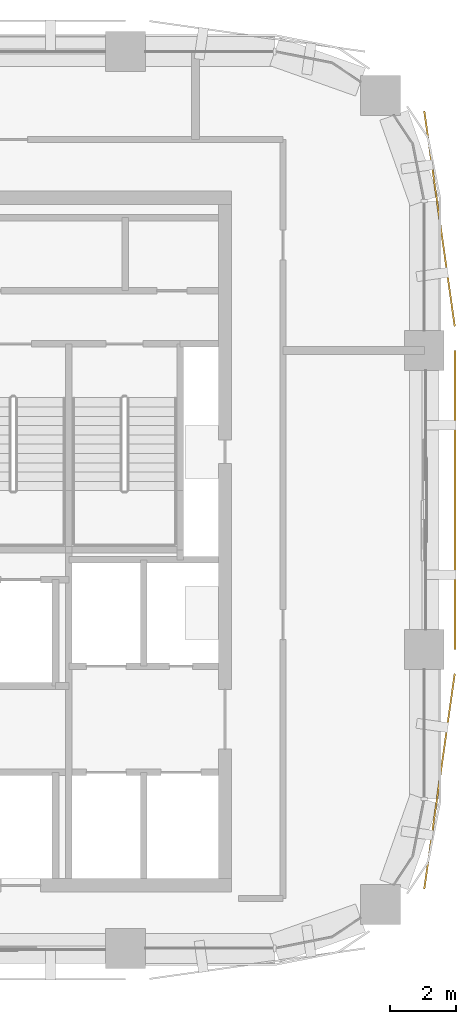
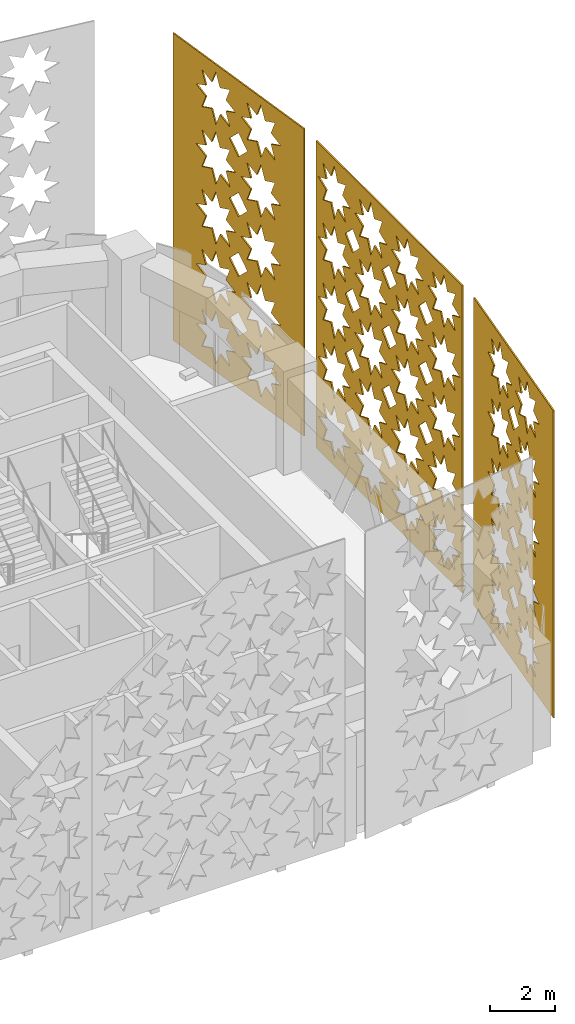
# One storey, part 14 of 14: 3 coverings.
"""IFC4 building model written with IfcOpenShell, lengths in metres."""

from ifc_helpers import new_model, si_unit, direction, frame, origin, place, context, subcontext, project, spatial, polyline, outline, extrude, material, layer, layer_set, type_object, element, save


model = new_model("IFC4")

# Units and contexts
model_context = context("Model", 3, precision=1e-05, world=origin(), true_north=direction((0.0, 1.0)))
body_context = subcontext(model_context, "Body", "Model", "MODEL_VIEW")
ifc_project = project(units=[si_unit("LENGTHUNIT", "METRE"), si_unit("AREAUNIT", "SQUARE_METRE"), si_unit("VOLUMEUNIT", "CUBIC_METRE"), si_unit("PLANEANGLEUNIT", "RADIAN"), si_unit("MASSUNIT", "GRAM", prefix="KILO")], contexts=[model_context])

# Site, building, storey
site_placement = place(None, origin())
site = spatial("IfcSite", under=ifc_project, at=site_placement, CompositionType="ELEMENT")
building_placement = place(site_placement, origin())
building = spatial("IfcBuilding", under=site, at=building_placement, Name="Tessera Arch", CompositionType="ELEMENT")
storey_placement = place(building_placement, frame((0.0, 0.0, 269.60009765625)))
storey = spatial("IfcBuildingStorey", under=building, at=storey_placement, Name="L65", CompositionType="ELEMENT", Elevation=269.60009765625)

# Coverings
ifc_material_1 = material(Name="Anodised aluminium pale metal", Category="aluminium")
ifc_layer_1 = layer(ifc_material_1, 0.050048828125)
ifc_layer_set_1 = layer_set([ifc_layer_1], Name="Pierced screen panel corner bay")
covering_type_1 = type_object("IfcCoveringType", Name="Pierced screen panel corner bay", PredefinedType="CLADDING", material=ifc_layer_set_1)
covering_1_placement = place(storey_placement, frame((54.89111328125, 45.72607421875, 11.699951171875), z_axis=(-0.990141011378, -0.140074186016, 0.0), x_axis=(-0.140074186016, 0.990141011378, 0.0)))
element("IfcCovering", 1, at=covering_1_placement, inside=storey, type_object=covering_type_1, Name="SCREEN pierced panel E54.27/1 L65-L67", PredefinedType="CLADDING", context=body_context, shape_type="SweptSolid", body=[
    extrude(outline(polyline([(0.0, 0.0), (6.546475218445481, 0.0), (6.546475218445481, 11.5400390625), (0.0, 11.5400390625), (0.0, 0.0)]), holes=[polyline([(3.1378926073747033, 10.27001953125), (2.646957140062835, 10.06298828125), (2.8479028079497066, 9.570068359375), (2.354999273675671, 9.77099609375), (2.147907671256942, 9.280029296875), (1.941990539265672, 9.77099609375), (1.4481200704102128, 9.570068359375), (1.6490657382970841, 10.06298828125), (1.158130270985216, 10.27001953125), (1.6490657382970841, 10.47705078125), (1.4481200704102128, 10.969970703125), (1.941990539265672, 10.76904296875), (2.147907671256942, 11.260009765625), (2.354999273675671, 10.76904296875), (2.8479028079497066, 10.969970703125), (2.646957140062835, 10.47705078125), (3.1378926073747033, 10.27001953125)]), polyline([(3.1378926073747033, 8.02001953125), (2.646957140062835, 7.81298828125), (2.8479028079497066, 7.320068359375), (2.354999273675671, 7.52099609375), (2.147907671256942, 7.030029296875), (1.941990539265672, 7.52099609375), (1.4481200704102128, 7.320068359375), (1.6490657382970841, 7.81298828125), (1.158130270985216, 8.02001953125), (1.6490657382970841, 8.22705078125), (1.4481200704102128, 8.719970703125), (1.941990539265672, 8.51904296875), (2.147907671256942, 9.010009765625), (2.354999273675671, 8.51904296875), (2.8479028079497066, 8.719970703125), (2.646957140062835, 8.22705078125), (3.1378926073747033, 8.02001953125)]), polyline([(3.1378926073747033, 5.77001953125), (2.646957140062835, 5.56298828125), (2.8479028079497066, 5.070068359375), (2.354999273675671, 5.27099609375), (2.147907671256942, 4.780029296875), (1.941990539265672, 5.27099609375), (1.4481200704102128, 5.070068359375), (1.6490657382970841, 5.56298828125), (1.158130270985216, 5.77001953125), (1.6490657382970841, 5.97705078125), (1.4481200704102128, 6.469970703125), (1.941990539265672, 6.26904296875), (2.147907671256942, 6.760009765625), (2.354999273675671, 6.26904296875), (2.8479028079497066, 6.469970703125), (2.646957140062835, 5.97705078125), (3.1378926073747033, 5.77001953125)]), polyline([(3.1378926073747033, 3.52001953125), (2.646957140062835, 3.31298828125), (2.8479028079497066, 2.820068359375), (2.354999273675671, 3.02099609375), (2.147907671256942, 2.530029296875), (1.941990539265672, 3.02099609375), (1.4481200704102128, 2.820068359375), (1.6490657382970841, 3.31298828125), (1.158130270985216, 3.52001953125), (1.6490657382970841, 3.72705078125), (1.4481200704102128, 4.219970703125), (1.941990539265672, 4.01904296875), (2.147907671256942, 4.510009765625), (2.354999273675671, 4.01904296875), (2.8479028079497066, 4.219970703125), (2.646957140062835, 3.72705078125), (3.1378926073747033, 3.52001953125)]), polyline([(3.1378926073747033, 1.27001953125), (2.646957140062835, 1.06298828125), (2.8479028079497066, 0.570068359375), (2.354999273675671, 0.77099609375), (2.147907671256942, 0.280029296875), (1.941990539265672, 0.77099609375), (1.4481200704102128, 0.570068359375), (1.6490657382970841, 1.06298828125), (1.158130270985216, 1.27001953125), (1.6490657382970841, 1.47705078125), (1.4481200704102128, 1.969970703125), (1.941990539265672, 1.76904296875), (2.147907671256942, 2.260009765625), (2.354999273675671, 1.76904296875), (2.8479028079497066, 1.969970703125), (2.646957140062835, 1.47705078125), (3.1378926073747033, 1.27001953125)]), polyline([(5.387861480169554, 10.27001953125), (4.896926012857686, 10.06298828125), (5.097871680744557, 9.570068359375), (4.604968146470521, 9.77099609375), (4.398118277697149, 9.280029296875), (4.191959412060523, 9.77099609375), (3.698088943205064, 9.570068359375), (3.899034611091935, 10.06298828125), (3.408099143780067, 10.27001953125), (3.899034611091935, 10.47705078125), (3.698088943205064, 10.969970703125), (4.191959412060523, 10.76904296875), (4.398118277697149, 11.260009765625), (4.604968146470521, 10.76904296875), (5.097871680744557, 10.969970703125), (4.896926012857686, 10.47705078125), (5.387861480169554, 10.27001953125)]), polyline([(5.387861480169554, 8.02001953125), (4.896926012857686, 7.81298828125), (5.097871680744557, 7.320068359375), (4.604968146470521, 7.52099609375), (4.398118277697149, 7.030029296875), (4.191959412060523, 7.52099609375), (3.698088943205064, 7.320068359375), (3.899034611091935, 7.81298828125), (3.408099143780067, 8.02001953125), (3.899034611091935, 8.22705078125), (3.698088943205064, 8.719970703125), (4.191959412060523, 8.51904296875), (4.398118277697149, 9.010009765625), (4.604968146470521, 8.51904296875), (5.097871680744557, 8.719970703125), (4.896926012857686, 8.22705078125), (5.387861480169554, 8.02001953125)]), polyline([(5.387861480169554, 5.77001953125), (4.896926012857686, 5.56298828125), (5.097871680744557, 5.070068359375), (4.604968146470521, 5.27099609375), (4.398118277697149, 4.780029296875), (4.191959412060523, 5.27099609375), (3.698088943205064, 5.070068359375), (3.899034611091935, 5.56298828125), (3.408099143780067, 5.77001953125), (3.899034611091935, 5.97705078125), (3.698088943205064, 6.469970703125), (4.191959412060523, 6.26904296875), (4.398118277697149, 6.760009765625), (4.604968146470521, 6.26904296875), (5.097871680744557, 6.469970703125), (4.896926012857686, 5.97705078125), (5.387861480169554, 5.77001953125)]), polyline([(5.387861480169554, 3.52001953125), (4.896926012857686, 3.31298828125), (5.097871680744557, 2.820068359375), (4.604968146470521, 3.02099609375), (4.398118277697149, 2.530029296875), (4.191959412060523, 3.02099609375), (3.698088943205064, 2.820068359375), (3.899034611091935, 3.31298828125), (3.408099143780067, 3.52001953125), (3.899034611091935, 3.72705078125), (3.698088943205064, 4.219970703125), (4.191959412060523, 4.01904296875), (4.398118277697149, 4.510009765625), (4.604968146470521, 4.01904296875), (5.097871680744557, 4.219970703125), (4.896926012857686, 3.72705078125), (5.387861480169554, 3.52001953125)]), polyline([(5.387861480169554, 1.27001953125), (4.896926012857686, 1.06298828125), (5.097871680744557, 0.570068359375), (4.604968146470521, 0.77099609375), (4.398118277697149, 0.280029296875), (4.191959412060523, 0.77099609375), (3.698088943205064, 0.570068359375), (3.899034611091935, 1.06298828125), (3.408099143780067, 1.27001953125), (3.899034611091935, 1.47705078125), (3.698088943205064, 1.969970703125), (4.191959412060523, 1.76904296875), (4.398118277697149, 2.260009765625), (4.604968146470521, 1.76904296875), (5.097871680744557, 1.969970703125), (4.896926012857686, 1.47705078125), (5.387861480169554, 1.27001953125)]), polyline([(3.7229828105764913, 9.14501953125), (3.2729958755773856, 8.695068359375), (2.823008940578279, 9.14501953125), (3.2729958755773856, 9.594970703125), (3.7229828105764913, 9.14501953125)]), polyline([(3.7229828105764913, 6.89501953125), (3.2729958755773856, 6.445068359375), (2.823008940578279, 6.89501953125), (3.2729958755773856, 7.344970703125), (3.7229828105764913, 6.89501953125)]), polyline([(3.7229828105764913, 4.64501953125), (3.2729958755773856, 4.195068359375), (2.823008940578279, 4.64501953125), (3.2729958755773856, 5.094970703125), (3.7229828105764913, 4.64501953125)]), polyline([(3.7229828105764913, 2.39501953125), (3.2729958755773856, 1.945068359375), (2.823008940578279, 2.39501953125), (3.2729958755773856, 2.844970703125), (3.7229828105764913, 2.39501953125)])]), origin(), (0.0, 0.0, -1.0), 0.050048828125),
])
covering_2_placement = place(storey_placement, frame((53.97412109375, 28.7919921875, 11.699951171875), z_axis=(-0.990141011378, 0.140074186016, 0.0), x_axis=(0.140074186016, 0.990141011378, 0.0)))
element("IfcCovering", 2, at=covering_2_placement, inside=storey, type_object=covering_type_1, Name="SCREEN pierced panel E54.27/2 L65-L67", PredefinedType="CLADDING", context=body_context, shape_type="SweptSolid", body=[
    extrude(outline(polyline([(0.0, 0.0), (6.546475218445481, 0.0), (6.546475218445481, 11.5400390625), (0.0, 11.5400390625), (0.0, 0.0)]), holes=[polyline([(3.137858409575383, 10.27001953125), (2.6469229422635148, 10.06298828125), (2.8479028079497066, 9.570068359375), (2.354999273675671, 9.77099609375), (2.1478734734576217, 9.280029296875), (1.941990539265672, 9.77099609375), (1.447878336764857, 9.570068359375), (1.6490657382970841, 10.06298828125), (1.15788853733986, 10.27001953125), (1.6490657382970841, 10.47705078125), (1.447878336764857, 10.969970703125), (1.941990539265672, 10.76904296875), (2.1478734734576217, 11.260009765625), (2.354999273675671, 10.76904296875), (2.8479028079497066, 10.969970703125), (2.6469229422635148, 10.47705078125), (3.137858409575383, 10.27001953125)]), polyline([(3.137858409575383, 8.02001953125), (2.6469229422635148, 7.81298828125), (2.8479028079497066, 7.320068359375), (2.354999273675671, 7.52099609375), (2.1478734734576217, 7.030029296875), (1.941990539265672, 7.52099609375), (1.447878336764857, 7.320068359375), (1.6490657382970841, 7.81298828125), (1.15788853733986, 8.02001953125), (1.6490657382970841, 8.22705078125), (1.447878336764857, 8.719970703125), (1.941990539265672, 8.51904296875), (2.1478734734576217, 9.010009765625), (2.354999273675671, 8.51904296875), (2.8479028079497066, 8.719970703125), (2.6469229422635148, 8.22705078125), (3.137858409575383, 8.02001953125)]), polyline([(3.137858409575383, 5.77001953125), (2.6469229422635148, 5.56298828125), (2.8479028079497066, 5.070068359375), (2.354999273675671, 5.27099609375), (2.1478734734576217, 4.780029296875), (1.941990539265672, 5.27099609375), (1.447878336764857, 5.070068359375), (1.6490657382970841, 5.56298828125), (1.15788853733986, 5.77001953125), (1.6490657382970841, 5.97705078125), (1.447878336764857, 6.469970703125), (1.941990539265672, 6.26904296875), (2.1478734734576217, 6.760009765625), (2.354999273675671, 6.26904296875), (2.8479028079497066, 6.469970703125), (2.6469229422635148, 5.97705078125), (3.137858409575383, 5.77001953125)]), polyline([(3.137858409575383, 3.52001953125), (2.6469229422635148, 3.31298828125), (2.8479028079497066, 2.820068359375), (2.354999273675671, 3.02099609375), (2.1478734734576217, 2.530029296875), (1.941990539265672, 3.02099609375), (1.447878336764857, 2.820068359375), (1.6490657382970841, 3.31298828125), (1.15788853733986, 3.52001953125), (1.6490657382970841, 3.72705078125), (1.447878336764857, 4.219970703125), (1.941990539265672, 4.01904296875), (2.1478734734576217, 4.510009765625), (2.354999273675671, 4.01904296875), (2.8479028079497066, 4.219970703125), (2.6469229422635148, 3.72705078125), (3.137858409575383, 3.52001953125)]), polyline([(3.137858409575383, 1.27001953125), (2.6469229422635148, 1.06298828125), (2.8479028079497066, 0.570068359375), (2.354999273675671, 0.77099609375), (2.1478734734576217, 0.280029296875), (1.941990539265672, 0.77099609375), (1.447878336764857, 0.570068359375), (1.6490657382970841, 1.06298828125), (1.15788853733986, 1.27001953125), (1.6490657382970841, 1.47705078125), (1.447878336764857, 1.969970703125), (1.941990539265672, 1.76904296875), (2.1478734734576217, 2.260009765625), (2.354999273675671, 1.76904296875), (2.8479028079497066, 1.969970703125), (2.6469229422635148, 1.47705078125), (3.137858409575383, 1.27001953125)]), polyline([(5.387827282370234, 10.27001953125), (4.896891815058366, 10.06298828125), (5.097871680744557, 9.570068359375), (4.604968146470521, 9.77099609375), (4.397842346252473, 9.280029296875), (4.191959412060523, 9.77099609375), (3.698088943205064, 9.570068359375), (3.899034611091935, 10.06298828125), (3.407857410134711, 10.27001953125), (3.899034611091935, 10.47705078125), (3.698088943205064, 10.969970703125), (4.191959412060523, 10.76904296875), (4.397842346252473, 11.260009765625), (4.604968146470521, 10.76904296875), (5.097871680744557, 10.969970703125), (4.896891815058366, 10.47705078125), (5.387827282370234, 10.27001953125)]), polyline([(5.387827282370234, 8.02001953125), (4.896891815058366, 7.81298828125), (5.097871680744557, 7.320068359375), (4.604968146470521, 7.52099609375), (4.397842346252473, 7.030029296875), (4.191959412060523, 7.52099609375), (3.698088943205064, 7.320068359375), (3.899034611091935, 7.81298828125), (3.407857410134711, 8.02001953125), (3.899034611091935, 8.22705078125), (3.698088943205064, 8.719970703125), (4.191959412060523, 8.51904296875), (4.397842346252473, 9.010009765625), (4.604968146470521, 8.51904296875), (5.097871680744557, 8.719970703125), (4.896891815058366, 8.22705078125), (5.387827282370234, 8.02001953125)]), polyline([(5.387827282370234, 5.77001953125), (4.896891815058366, 5.56298828125), (5.097871680744557, 5.070068359375), (4.604968146470521, 5.27099609375), (4.397842346252473, 4.780029296875), (4.191959412060523, 5.27099609375), (3.698088943205064, 5.070068359375), (3.899034611091935, 5.56298828125), (3.407857410134711, 5.77001953125), (3.899034611091935, 5.97705078125), (3.698088943205064, 6.469970703125), (4.191959412060523, 6.26904296875), (4.397842346252473, 6.760009765625), (4.604968146470521, 6.26904296875), (5.097871680744557, 6.469970703125), (4.896891815058366, 5.97705078125), (5.387827282370234, 5.77001953125)]), polyline([(5.387827282370234, 3.52001953125), (4.896891815058366, 3.31298828125), (5.097871680744557, 2.820068359375), (4.604968146470521, 3.02099609375), (4.397842346252473, 2.530029296875), (4.191959412060523, 3.02099609375), (3.698088943205064, 2.820068359375), (3.899034611091935, 3.31298828125), (3.407857410134711, 3.52001953125), (3.899034611091935, 3.72705078125), (3.698088943205064, 4.219970703125), (4.191959412060523, 4.01904296875), (4.397842346252473, 4.510009765625), (4.604968146470521, 4.01904296875), (5.097871680744557, 4.219970703125), (4.896891815058366, 3.72705078125), (5.387827282370234, 3.52001953125)]), polyline([(5.387827282370234, 1.27001953125), (4.896891815058366, 1.06298828125), (5.097871680744557, 0.570068359375), (4.604968146470521, 0.77099609375), (4.397842346252473, 0.280029296875), (4.191959412060523, 0.77099609375), (3.698088943205064, 0.570068359375), (3.899034611091935, 1.06298828125), (3.407857410134711, 1.27001953125), (3.899034611091935, 1.47705078125), (3.698088943205064, 1.969970703125), (4.191959412060523, 1.76904296875), (4.397842346252473, 2.260009765625), (4.604968146470521, 1.76904296875), (5.097871680744557, 1.969970703125), (4.896891815058366, 1.47705078125), (5.387827282370234, 1.27001953125)]), polyline([(3.7229828105764913, 9.14501953125), (3.2729958755773856, 8.695068359375), (2.8229747427789587, 9.14501953125), (3.2729958755773856, 9.594970703125), (3.7229828105764913, 9.14501953125)]), polyline([(3.7229828105764913, 6.89501953125), (3.2729958755773856, 6.445068359375), (2.8229747427789587, 6.89501953125), (3.2729958755773856, 7.344970703125), (3.7229828105764913, 6.89501953125)]), polyline([(3.7229828105764913, 4.64501953125), (3.2729958755773856, 4.195068359375), (2.8229747427789587, 4.64501953125), (3.2729958755773856, 5.094970703125), (3.7229828105764913, 4.64501953125)]), polyline([(3.7229828105764913, 2.39501953125), (3.2729958755773856, 1.945068359375), (2.8229747427789587, 2.39501953125), (3.2729958755773856, 2.844970703125), (3.7229828105764913, 2.39501953125)])]), origin(), (0.0, 0.0, -1.0), 0.050048828125),
])
ifc_material_2 = material(Name="Anodised aluminium pale metal", Category="aluminium")
ifc_layer_2 = layer(ifc_material_2, 0.050048828125)
ifc_layer_set_2 = layer_set([ifc_layer_2], Name="Pierced screen panel straight bay")
covering_type_2 = type_object("IfcCoveringType", Name="Pierced screen panel straight bay", PredefinedType="CLADDING", material=ifc_layer_set_2)
covering_3_placement = place(storey_placement, frame((54.89990234375, 36.0, 11.699951171875), z_axis=(-1.0, 0.0, 0.0), x_axis=(0.0, 1.0, 0.0)))
element("IfcCovering", 3, at=covering_3_placement, inside=storey, type_object=covering_type_2, Name="SCREEN pierced panel E54.27/0 L65-L67", PredefinedType="CLADDING", context=body_context, shape_type="SweptSolid", body=[
    extrude(outline(polyline([(0.0, 0.0), (9.0, 0.0), (9.0, 11.5400390625), (0.0, 11.5400390625), (0.0, 0.0)]), holes=[polyline([(2.114990234375, 10.27001953125), (1.6240234375, 10.06298828125), (1.824951171875, 9.570068359375), (1.33203125, 9.77099609375), (1.125, 9.280029296875), (0.91796875, 9.77099609375), (0.425048828125, 9.570068359375), (0.6259765625, 10.06298828125), (0.135009765625, 10.27001953125), (0.6259765625, 10.47705078125), (0.425048828125, 10.969970703125), (0.91796875, 10.76904296875), (1.125, 11.260009765625), (1.33203125, 10.76904296875), (1.824951171875, 10.969970703125), (1.6240234375, 10.47705078125), (2.114990234375, 10.27001953125)]), polyline([(2.114990234375, 8.02001953125), (1.6240234375, 7.81298828125), (1.824951171875, 7.320068359375), (1.33203125, 7.52099609375), (1.125, 7.030029296875), (0.91796875, 7.52099609375), (0.425048828125, 7.320068359375), (0.6259765625, 7.81298828125), (0.135009765625, 8.02001953125), (0.6259765625, 8.22705078125), (0.425048828125, 8.719970703125), (0.91796875, 8.51904296875), (1.125, 9.010009765625), (1.33203125, 8.51904296875), (1.824951171875, 8.719970703125), (1.6240234375, 8.22705078125), (2.114990234375, 8.02001953125)]), polyline([(2.114990234375, 5.77001953125), (1.6240234375, 5.56298828125), (1.824951171875, 5.070068359375), (1.33203125, 5.27099609375), (1.125, 4.780029296875), (0.91796875, 5.27099609375), (0.425048828125, 5.070068359375), (0.6259765625, 5.56298828125), (0.135009765625, 5.77001953125), (0.6259765625, 5.97705078125), (0.425048828125, 6.469970703125), (0.91796875, 6.26904296875), (1.125, 6.760009765625), (1.33203125, 6.26904296875), (1.824951171875, 6.469970703125), (1.6240234375, 5.97705078125), (2.114990234375, 5.77001953125)]), polyline([(2.114990234375, 3.52001953125), (1.6240234375, 3.31298828125), (1.824951171875, 2.820068359375), (1.33203125, 3.02099609375), (1.125, 2.530029296875), (0.91796875, 3.02099609375), (0.425048828125, 2.820068359375), (0.6259765625, 3.31298828125), (0.135009765625, 3.52001953125), (0.6259765625, 3.72705078125), (0.425048828125, 4.219970703125), (0.91796875, 4.01904296875), (1.125, 4.510009765625), (1.33203125, 4.01904296875), (1.824951171875, 4.219970703125), (1.6240234375, 3.72705078125), (2.114990234375, 3.52001953125)]), polyline([(2.114990234375, 1.27001953125), (1.6240234375, 1.06298828125), (1.824951171875, 0.570068359375), (1.33203125, 0.77099609375), (1.125, 0.280029296875), (0.91796875, 0.77099609375), (0.425048828125, 0.570068359375), (0.6259765625, 1.06298828125), (0.135009765625, 1.27001953125), (0.6259765625, 1.47705078125), (0.425048828125, 1.969970703125), (0.91796875, 1.76904296875), (1.125, 2.260009765625), (1.33203125, 1.76904296875), (1.824951171875, 1.969970703125), (1.6240234375, 1.47705078125), (2.114990234375, 1.27001953125)]), polyline([(4.364990234375, 10.27001953125), (3.8740234375, 10.06298828125), (4.074951171875, 9.570068359375), (3.58203125, 9.77099609375), (3.375, 9.280029296875), (3.16796875, 9.77099609375), (2.675048828125, 9.570068359375), (2.8759765625, 10.06298828125), (2.385009765625, 10.27001953125), (2.8759765625, 10.47705078125), (2.675048828125, 10.969970703125), (3.16796875, 10.76904296875), (3.375, 11.260009765625), (3.58203125, 10.76904296875), (4.074951171875, 10.969970703125), (3.8740234375, 10.47705078125), (4.364990234375, 10.27001953125)]), polyline([(4.364990234375, 8.02001953125), (3.8740234375, 7.81298828125), (4.074951171875, 7.320068359375), (3.58203125, 7.52099609375), (3.375, 7.030029296875), (3.16796875, 7.52099609375), (2.675048828125, 7.320068359375), (2.8759765625, 7.81298828125), (2.385009765625, 8.02001953125), (2.8759765625, 8.22705078125), (2.675048828125, 8.719970703125), (3.16796875, 8.51904296875), (3.375, 9.010009765625), (3.58203125, 8.51904296875), (4.074951171875, 8.719970703125), (3.8740234375, 8.22705078125), (4.364990234375, 8.02001953125)]), polyline([(4.364990234375, 5.77001953125), (3.8740234375, 5.56298828125), (4.074951171875, 5.070068359375), (3.58203125, 5.27099609375), (3.375, 4.780029296875), (3.16796875, 5.27099609375), (2.675048828125, 5.070068359375), (2.8759765625, 5.56298828125), (2.385009765625, 5.77001953125), (2.8759765625, 5.97705078125), (2.675048828125, 6.469970703125), (3.16796875, 6.26904296875), (3.375, 6.760009765625), (3.58203125, 6.26904296875), (4.074951171875, 6.469970703125), (3.8740234375, 5.97705078125), (4.364990234375, 5.77001953125)]), polyline([(4.364990234375, 3.52001953125), (3.8740234375, 3.31298828125), (4.074951171875, 2.820068359375), (3.58203125, 3.02099609375), (3.375, 2.530029296875), (3.16796875, 3.02099609375), (2.675048828125, 2.820068359375), (2.8759765625, 3.31298828125), (2.385009765625, 3.52001953125), (2.8759765625, 3.72705078125), (2.675048828125, 4.219970703125), (3.16796875, 4.01904296875), (3.375, 4.510009765625), (3.58203125, 4.01904296875), (4.074951171875, 4.219970703125), (3.8740234375, 3.72705078125), (4.364990234375, 3.52001953125)]), polyline([(4.364990234375, 1.27001953125), (3.8740234375, 1.06298828125), (4.074951171875, 0.570068359375), (3.58203125, 0.77099609375), (3.375, 0.280029296875), (3.16796875, 0.77099609375), (2.675048828125, 0.570068359375), (2.8759765625, 1.06298828125), (2.385009765625, 1.27001953125), (2.8759765625, 1.47705078125), (2.675048828125, 1.969970703125), (3.16796875, 1.76904296875), (3.375, 2.260009765625), (3.58203125, 1.76904296875), (4.074951171875, 1.969970703125), (3.8740234375, 1.47705078125), (4.364990234375, 1.27001953125)]), polyline([(6.614990234375, 10.27001953125), (6.1240234375, 10.06298828125), (6.324951171875, 9.570068359375), (5.83203125, 9.77099609375), (5.625, 9.280029296875), (5.41796875, 9.77099609375), (4.925048828125, 9.570068359375), (5.1259765625, 10.06298828125), (4.635009765625, 10.27001953125), (5.1259765625, 10.47705078125), (4.925048828125, 10.969970703125), (5.41796875, 10.76904296875), (5.625, 11.260009765625), (5.83203125, 10.76904296875), (6.324951171875, 10.969970703125), (6.1240234375, 10.47705078125), (6.614990234375, 10.27001953125)]), polyline([(6.614990234375, 8.02001953125), (6.1240234375, 7.81298828125), (6.324951171875, 7.320068359375), (5.83203125, 7.52099609375), (5.625, 7.030029296875), (5.41796875, 7.52099609375), (4.925048828125, 7.320068359375), (5.1259765625, 7.81298828125), (4.635009765625, 8.02001953125), (5.1259765625, 8.22705078125), (4.925048828125, 8.719970703125), (5.41796875, 8.51904296875), (5.625, 9.010009765625), (5.83203125, 8.51904296875), (6.324951171875, 8.719970703125), (6.1240234375, 8.22705078125), (6.614990234375, 8.02001953125)]), polyline([(6.614990234375, 5.77001953125), (6.1240234375, 5.56298828125), (6.324951171875, 5.070068359375), (5.83203125, 5.27099609375), (5.625, 4.780029296875), (5.41796875, 5.27099609375), (4.925048828125, 5.070068359375), (5.1259765625, 5.56298828125), (4.635009765625, 5.77001953125), (5.1259765625, 5.97705078125), (4.925048828125, 6.469970703125), (5.41796875, 6.26904296875), (5.625, 6.760009765625), (5.83203125, 6.26904296875), (6.324951171875, 6.469970703125), (6.1240234375, 5.97705078125), (6.614990234375, 5.77001953125)]), polyline([(6.614990234375, 3.52001953125), (6.1240234375, 3.31298828125), (6.324951171875, 2.820068359375), (5.83203125, 3.02099609375), (5.625, 2.530029296875), (5.41796875, 3.02099609375), (4.925048828125, 2.820068359375), (5.1259765625, 3.31298828125), (4.635009765625, 3.52001953125), (5.1259765625, 3.72705078125), (4.925048828125, 4.219970703125), (5.41796875, 4.01904296875), (5.625, 4.510009765625), (5.83203125, 4.01904296875), (6.324951171875, 4.219970703125), (6.1240234375, 3.72705078125), (6.614990234375, 3.52001953125)]), polyline([(6.614990234375, 1.27001953125), (6.1240234375, 1.06298828125), (6.324951171875, 0.570068359375), (5.83203125, 0.77099609375), (5.625, 0.280029296875), (5.41796875, 0.77099609375), (4.925048828125, 0.570068359375), (5.1259765625, 1.06298828125), (4.635009765625, 1.27001953125), (5.1259765625, 1.47705078125), (4.925048828125, 1.969970703125), (5.41796875, 1.76904296875), (5.625, 2.260009765625), (5.83203125, 1.76904296875), (6.324951171875, 1.969970703125), (6.1240234375, 1.47705078125), (6.614990234375, 1.27001953125)]), polyline([(8.864990234375, 10.27001953125), (8.3740234375, 10.06298828125), (8.574951171875, 9.570068359375), (8.08203125, 9.77099609375), (7.875, 9.280029296875), (7.66796875, 9.77099609375), (7.175048828125, 9.570068359375), (7.3759765625, 10.06298828125), (6.885009765625, 10.27001953125), (7.3759765625, 10.47705078125), (7.175048828125, 10.969970703125), (7.66796875, 10.76904296875), (7.875, 11.260009765625), (8.08203125, 10.76904296875), (8.574951171875, 10.969970703125), (8.3740234375, 10.47705078125), (8.864990234375, 10.27001953125)]), polyline([(8.864990234375, 8.02001953125), (8.3740234375, 7.81298828125), (8.574951171875, 7.320068359375), (8.08203125, 7.52099609375), (7.875, 7.030029296875), (7.66796875, 7.52099609375), (7.175048828125, 7.320068359375), (7.3759765625, 7.81298828125), (6.885009765625, 8.02001953125), (7.3759765625, 8.22705078125), (7.175048828125, 8.719970703125), (7.66796875, 8.51904296875), (7.875, 9.010009765625), (8.08203125, 8.51904296875), (8.574951171875, 8.719970703125), (8.3740234375, 8.22705078125), (8.864990234375, 8.02001953125)]), polyline([(8.864990234375, 5.77001953125), (8.3740234375, 5.56298828125), (8.574951171875, 5.070068359375), (8.08203125, 5.27099609375), (7.875, 4.780029296875), (7.66796875, 5.27099609375), (7.175048828125, 5.070068359375), (7.3759765625, 5.56298828125), (6.885009765625, 5.77001953125), (7.3759765625, 5.97705078125), (7.175048828125, 6.469970703125), (7.66796875, 6.26904296875), (7.875, 6.760009765625), (8.08203125, 6.26904296875), (8.574951171875, 6.469970703125), (8.3740234375, 5.97705078125), (8.864990234375, 5.77001953125)]), polyline([(8.864990234375, 3.52001953125), (8.3740234375, 3.31298828125), (8.574951171875, 2.820068359375), (8.08203125, 3.02099609375), (7.875, 2.530029296875), (7.66796875, 3.02099609375), (7.175048828125, 2.820068359375), (7.3759765625, 3.31298828125), (6.885009765625, 3.52001953125), (7.3759765625, 3.72705078125), (7.175048828125, 4.219970703125), (7.66796875, 4.01904296875), (7.875, 4.510009765625), (8.08203125, 4.01904296875), (8.574951171875, 4.219970703125), (8.3740234375, 3.72705078125), (8.864990234375, 3.52001953125)]), polyline([(8.864990234375, 1.27001953125), (8.3740234375, 1.06298828125), (8.574951171875, 0.570068359375), (8.08203125, 0.77099609375), (7.875, 0.280029296875), (7.66796875, 0.77099609375), (7.175048828125, 0.570068359375), (7.3759765625, 1.06298828125), (6.885009765625, 1.27001953125), (7.3759765625, 1.47705078125), (7.175048828125, 1.969970703125), (7.66796875, 1.76904296875), (7.875, 2.260009765625), (8.08203125, 1.76904296875), (8.574951171875, 1.969970703125), (8.3740234375, 1.47705078125), (8.864990234375, 1.27001953125)]), polyline([(2.699951171875, 9.14501953125), (2.25, 8.695068359375), (1.800048828125, 9.14501953125), (2.25, 9.594970703125), (2.699951171875, 9.14501953125)]), polyline([(2.699951171875, 6.89501953125), (2.25, 6.445068359375), (1.800048828125, 6.89501953125), (2.25, 7.344970703125), (2.699951171875, 6.89501953125)]), polyline([(2.699951171875, 4.64501953125), (2.25, 4.195068359375), (1.800048828125, 4.64501953125), (2.25, 5.094970703125), (2.699951171875, 4.64501953125)]), polyline([(2.699951171875, 2.39501953125), (2.25, 1.945068359375), (1.800048828125, 2.39501953125), (2.25, 2.844970703125), (2.699951171875, 2.39501953125)]), polyline([(4.949951171875, 9.14501953125), (4.5, 8.695068359375), (4.050048828125, 9.14501953125), (4.5, 9.594970703125), (4.949951171875, 9.14501953125)]), polyline([(4.949951171875, 6.89501953125), (4.5, 6.445068359375), (4.050048828125, 6.89501953125), (4.5, 7.344970703125), (4.949951171875, 6.89501953125)]), polyline([(4.949951171875, 4.64501953125), (4.5, 4.195068359375), (4.050048828125, 4.64501953125), (4.5, 5.094970703125), (4.949951171875, 4.64501953125)]), polyline([(4.949951171875, 2.39501953125), (4.5, 1.945068359375), (4.050048828125, 2.39501953125), (4.5, 2.844970703125), (4.949951171875, 2.39501953125)]), polyline([(7.199951171875, 9.14501953125), (6.75, 8.695068359375), (6.300048828125, 9.14501953125), (6.75, 9.594970703125), (7.199951171875, 9.14501953125)]), polyline([(7.199951171875, 6.89501953125), (6.75, 6.445068359375), (6.300048828125, 6.89501953125), (6.75, 7.344970703125), (7.199951171875, 6.89501953125)]), polyline([(7.199951171875, 4.64501953125), (6.75, 4.195068359375), (6.300048828125, 4.64501953125), (6.75, 5.094970703125), (7.199951171875, 4.64501953125)]), polyline([(7.199951171875, 2.39501953125), (6.75, 1.945068359375), (6.300048828125, 2.39501953125), (6.75, 2.844970703125), (7.199951171875, 2.39501953125)])]), origin(), (0.0, 0.0, -1.0), 0.050048828125),
])

save(model, "model.ifc")
